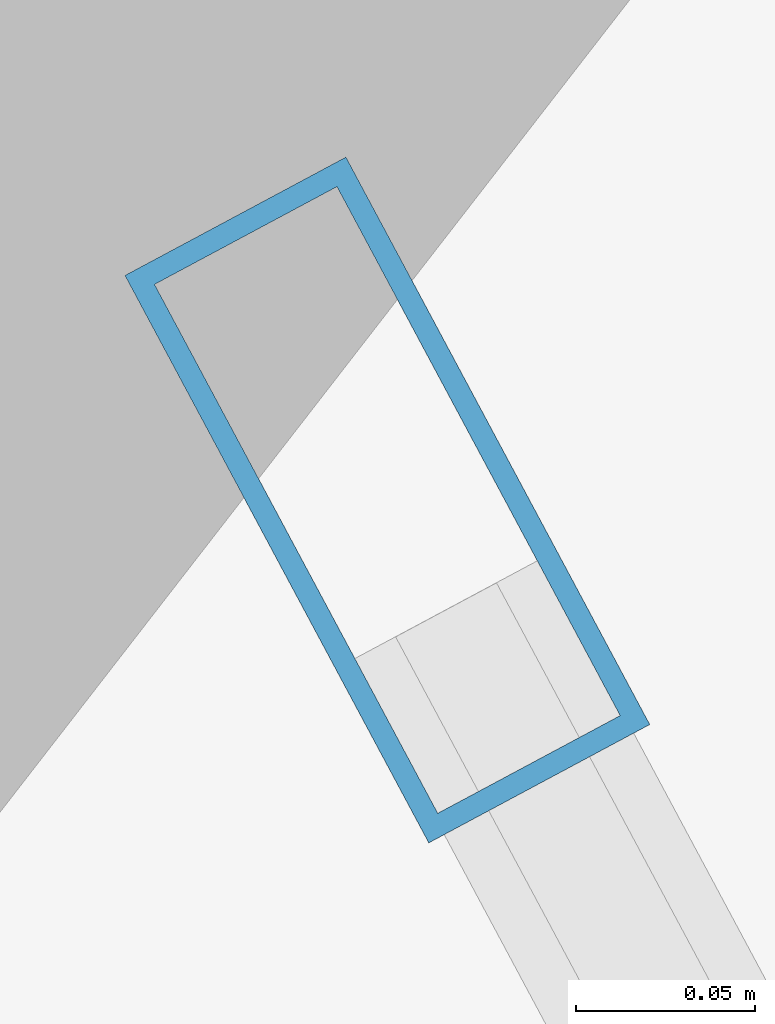
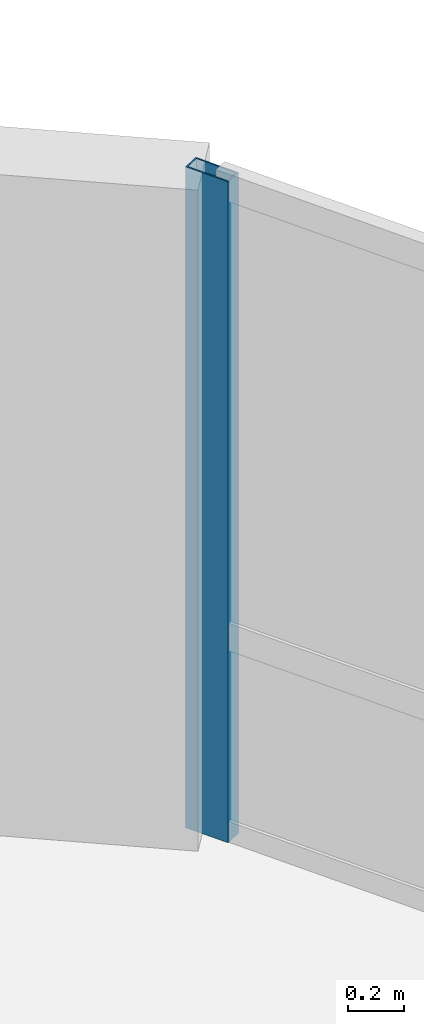
# One storey, part 8 of 15: 1 member, 1 element without a shape of its own.
"""IFC4 building model written with IfcOpenShell, lengths in metres."""

from ifc_helpers import new_model, si_unit, direction, frame, origin, origin_2d, place, context, subcontext, project, spatial, hollow_rectangle, extrude, material, layer, layer_set, material_profile, profile_set, type_object, element, aggregate, save


model = new_model("IFC4")

# Units and contexts
model_context = context("Model", 3, precision=1e-05, world=origin(), true_north=direction((0.0, 1.0)))
body_context = subcontext(model_context, "Body", "Model", "MODEL_VIEW")
ifc_project = project(units=[si_unit("LENGTHUNIT", "METRE"), si_unit("AREAUNIT", "SQUARE_METRE"), si_unit("VOLUMEUNIT", "CUBIC_METRE"), si_unit("PLANEANGLEUNIT", "RADIAN"), si_unit("MASSUNIT", "GRAM", prefix="KILO"), si_unit("THERMODYNAMICTEMPERATUREUNIT", "KELVIN"), si_unit("POWERUNIT", "WATT")], contexts=[model_context])

# Site, building, storey
site_placement = place(None, origin())
site = spatial("IfcSite", under=ifc_project, at=site_placement, CompositionType="ELEMENT")
building_placement = place(site_placement, origin())
building = spatial("IfcBuilding", under=site, at=building_placement, Name="Ocrelia Relay Tower", CompositionType="ELEMENT")
storey_placement = place(building_placement, frame((0.0, 0.0, 97.800048828125)))
storey = spatial("IfcBuildingStorey", under=building, at=storey_placement, Name="L22", CompositionType="ELEMENT", Elevation=97.800048828125)

# Curtain wall, member
ifc_material_1 = material(Name="Aluminium and solar-control low-E glass", Category="aluminium")
ifc_layer = layer(ifc_material_1, 0.179931640625, Name="Aluminium and solar-control low-E glass")
ifc_layer_set = layer_set([ifc_layer], Name="Aluminium and solar-control low-E glass")
curtain_wall_type = type_object("IfcCurtainWallType", Name="CW-SYS-Z2-SWIT", PredefinedType="NOTDEFINED", material=ifc_layer_set)
curtain_wall_placement = place(storey_placement, origin())
curtain_wall = element("IfcCurtainWall", 1, at=curtain_wall_placement, inside=storey, type_object=curtain_wall_type, Name="L22 Elliptical Tower Curtain Wall Bay 01", PredefinedType="NOTDEFINED")
ifc_material_2 = material(Name="Anodised bronze aluminium", Category="aluminium")
ifc_material_profile = material_profile(ifc_material_2, hollow_rectangle(XDim=0.070068359375, YDim=0.179931640625, WallThickness=0.006103515625, at=origin_2d()), Name="CW-MUL-180x70")
ifc_profile_set = profile_set([ifc_material_profile], Name="Anodised bronze aluminium")
member_type = type_object("IfcMemberType", Name="CW-SYS-Z2-SWIT-MUL", PredefinedType="MULLION", material=ifc_profile_set)
member_placement = place(storey_placement, frame((55.4736328125, 38.745361328125, 0.0), z_axis=(0.0, 0.0, 1.0), x_axis=(-0.881560565607, -0.472070936584, 0.0)))
member = element("IfcMember", 2, at=member_placement, type_object=member_type, Name="CW-Z2 mullion 3", PredefinedType="MULLION", context=body_context, shape_type="SweptSolid", body=[
    extrude(hollow_rectangle(XDim=0.070068359375, YDim=0.179931640625, WallThickness=0.006103515625, at=origin_2d()), origin(), (0.0, 0.0, 1.0), 2.89990234375),
])
aggregate(curtain_wall, [member])

save(model, "model.ifc")
